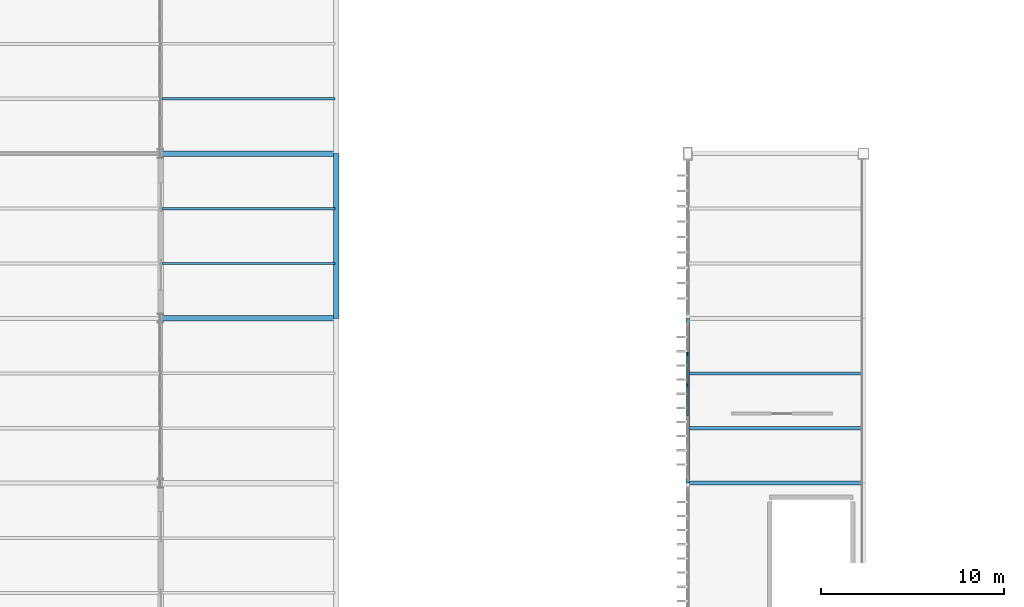
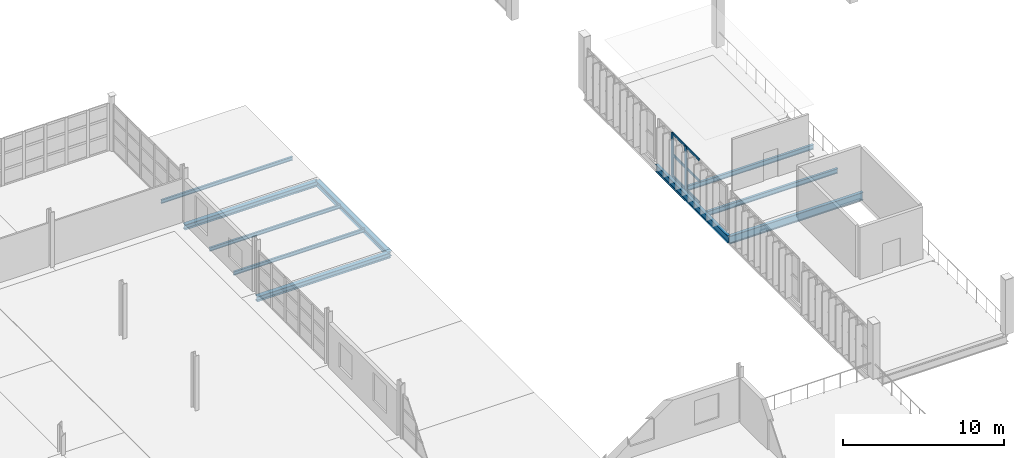
# One storey, part 23 of 82: 10 beams, 8 members, 1 element without a shape of its own.
"""IFC4 building model written with IfcOpenShell, lengths in metres."""

from ifc_helpers import new_model, si_unit, direction, frame, origin, origin_2d, place, context, subcontext, project, spatial, rectangle, i_section, extrude, material, layer, layer_set, material_profile, profile_set, type_object, element, aggregate, save


model = new_model("IFC4")

# Units and contexts
model_context = context("Model", 3, precision=1e-05, world=origin(), true_north=direction((0.0, 1.0)))
body_context = subcontext(model_context, "Body", "Model", "MODEL_VIEW")
ifc_project = project(units=[si_unit("LENGTHUNIT", "METRE"), si_unit("AREAUNIT", "SQUARE_METRE"), si_unit("VOLUMEUNIT", "CUBIC_METRE"), si_unit("PLANEANGLEUNIT", "RADIAN"), si_unit("MASSUNIT", "GRAM", prefix="KILO")], contexts=[model_context])

# Site, building, storey
site_placement = place(None, origin())
site = spatial("IfcSite", under=ifc_project, at=site_placement, CompositionType="ELEMENT")
building_placement = place(site_placement, origin())
building = spatial("IfcBuilding", under=site, at=building_placement, Name="Zarnetskaya Central Station", CompositionType="ELEMENT")
storey_placement = place(building_placement, frame((0.0, 0.0, 10.199951171875)))
storey = spatial("IfcBuildingStorey", under=building, at=storey_placement, Name="L02", CompositionType="ELEMENT", Elevation=10.199951171875)

# Beams
ifc_material_1 = material(Name="Steel S355", Category="steel")
ifc_material_profile_1 = material_profile(ifc_material_1, i_section(OverallWidth=0.135009765625, OverallDepth=0.27001953125, WebThickness=0.006591796875, FlangeThickness=0.01025390625, FilletRadius=0.014892578125, at=origin_2d()), Name="IPE 270")
ifc_profile_set_1 = profile_set([ifc_material_profile_1], Name="Steel S355")
beam_type_1 = type_object("IfcBeamType", Name="BM-JST-270", PredefinedType="JOIST", material=ifc_profile_set_1)
for number, where, z_axis, x_axis, name in (
    (1, (28.8798828125, 52.199951171875, -0.344970703125), (1.0, 0.0, 0.0), (0.0, 1.0, 0.0), "Secondary floor beam SEC-L02-Z999-DE-78-1"),
    (2, (28.8798828125, 55.199951171875, -0.344970703125), (1.0, 0.0, 0.0), (0.0, 1.0, 0.0), "Secondary floor beam SEC-L02-Z999-DE-78-2"),
    (3, (28.8798828125, 61.199951171875, -0.344970703125), (1.0, 0.0, 0.0), (0.0, 1.0, 0.0), "Secondary floor beam SEC-L02-Z999-DE-89-1"),
):
    element("IfcBeam", number, at=place(storey_placement, frame(where, z_axis=z_axis, x_axis=x_axis)), inside=storey, type_object=beam_type_1, Name=name, PredefinedType="JOIST", context=body_context, shape_type="SweptSolid", body=[
        extrude(i_section(OverallWidth=0.135009765625, OverallDepth=0.27001953125, WebThickness=0.006591796875, FlangeThickness=0.01025390625, FilletRadius=0.014892578125, at=origin_2d()), origin(), (0.0, 0.0, 1.0), 9.440185546875),
    ])
ifc_material_profile_2 = material_profile(ifc_material_1, i_section(OverallWidth=0.169921875, OverallDepth=0.360107421875, WebThickness=0.008056640625, FlangeThickness=0.0126953125, FilletRadius=0.01806640625, at=origin_2d()), Name="IPE 360")
ifc_profile_set_2 = profile_set([ifc_material_profile_2], Name="Steel S355")
beam_type_2 = type_object("IfcBeamType", Name="BM-SEC-360", PredefinedType="BEAM", material=ifc_profile_set_2)
for number, where, z_axis, x_axis, name in (
    (4, (57.679931640625, 43.199951171875, -0.43994140625), (1.0, 0.0, 0.0), (0.0, 1.0, 0.0), "Secondary floor beam SEC-L02-Z994-GH-67-1"),
    (5, (57.679931640625, 46.199951171875, -0.43994140625), (1.0, 0.0, 0.0), (0.0, 1.0, 0.0), "Secondary floor beam SEC-L02-Z994-GH-67-2"),
):
    element("IfcBeam", number, at=place(storey_placement, frame(where, z_axis=z_axis, x_axis=x_axis)), inside=storey, type_object=beam_type_2, Name=name, PredefinedType="BEAM", context=body_context, shape_type="SweptSolid", body=[
        extrude(i_section(OverallWidth=0.169921875, OverallDepth=0.360107421875, WebThickness=0.008056640625, FlangeThickness=0.0126953125, FilletRadius=0.01806640625, at=origin_2d()), origin(), (0.0, 0.0, 1.0), 9.440185546875),
    ])

# Curtain wall, members
ifc_material_2 = material(Name="Low-E insulated glass", Category="glass")
ifc_layer = layer(ifc_material_2, 0.176025390625, Name="Low-E insulated glass", Category="glass")
ifc_layer_set = layer_set([ifc_layer], Name="Low-E insulated glass")
curtain_wall_type = type_object("IfcCurtainWallType", Name="CW-SYS-15", PredefinedType="USERDEFINED", material=ifc_layer_set)
curtain_wall_placement = place(storey_placement, origin())
curtain_wall = element("IfcCurtainWall", 6, at=curtain_wall_placement, inside=storey, type_object=curtain_wall_type, Name="Curtain wall CW-L02-094", ObjectType="CURTAIN WALL", PredefinedType="USERDEFINED")
ifc_material_3 = material(Name="Anodised aluminium", Category="aluminium")
ifc_material_profile_3 = material_profile(ifc_material_3, rectangle(XDim=0.080078125, YDim=0.219970703125, at=origin_2d()), Name="ALU MULL 80x220")
ifc_profile_set_3 = profile_set([ifc_material_profile_3], Name="Anodised aluminium")
member_type_1 = type_object("IfcMemberType", Name="CW-MULL-220", PredefinedType="MULLION", material=ifc_profile_set_3)
member_1_placement = place(storey_placement, frame((57.60009765625, 45.550048828125, 0.0), z_axis=(0.0, 0.0, 1.0), x_axis=(-1.0, 0.0, 0.0)))
member_1 = element("IfcMember", 7, at=member_1_placement, type_object=member_type_1, Name="CW-05 mullion 4", PredefinedType="MULLION", context=body_context, shape_type="SweptSolid", body=[
    extrude(rectangle(XDim=0.080078125, YDim=0.219970703125, at=origin_2d()), origin(), (0.0, 0.0, 1.0), 3.300048828125),
])
member_2_placement = place(storey_placement, frame((57.60009765625, 47.25, 0.0), z_axis=(0.0, 0.0, 1.0), x_axis=(-1.0, 0.0, 0.0)))
member_2 = element("IfcMember", 8, at=member_2_placement, type_object=member_type_1, Name="CW-05 mullion 5", PredefinedType="MULLION", context=body_context, shape_type="SweptSolid", body=[
    extrude(rectangle(XDim=0.080078125, YDim=0.219970703125, at=origin_2d()), origin(), (0.0, 0.0, 1.0), 3.300048828125),
])
ifc_material_profile_4 = material_profile(ifc_material_3, rectangle(XDim=0.080078125, YDim=0.159912109375, at=origin_2d()), Name="ALU TRAN 80x160")
ifc_profile_set_4 = profile_set([ifc_material_profile_4], Name="Anodised aluminium")
member_type_2 = type_object("IfcMemberType", Name="CW-TRAN-160", PredefinedType="USERDEFINED", material=ifc_profile_set_4)
member_3_placement = place(storey_placement, frame((57.60009765625, 43.889892578125, 0.0400390625), z_axis=(0.0, 1.0, 0.0), x_axis=(-1.0, 0.0, 0.0)))
member_3 = element("IfcMember", 9, at=member_3_placement, type_object=member_type_2, Name="CW-05 transom 3.1", ObjectType="TRANSOM", PredefinedType="USERDEFINED", context=body_context, shape_type="SweptSolid", body=[
    extrude(rectangle(XDim=0.080078125, YDim=0.159912109375, at=origin_2d()), origin(), (0.0, 0.0, 1.0), 1.6201171875),
])
member_4_placement = place(storey_placement, frame((57.60009765625, 43.889892578125, 1.650146484375), z_axis=(0.0, 1.0, 0.0), x_axis=(-1.0, 0.0, 0.0)))
member_4 = element("IfcMember", 10, at=member_4_placement, type_object=member_type_2, Name="CW-05 transom 3.2", ObjectType="TRANSOM", PredefinedType="USERDEFINED", context=body_context, shape_type="SweptSolid", body=[
    extrude(rectangle(XDim=0.080078125, YDim=0.159912109375, at=origin_2d()), origin(), (0.0, 0.0, 1.0), 1.6201171875),
])
member_5_placement = place(storey_placement, frame((57.60009765625, 43.889892578125, 3.260009765625), z_axis=(0.0, 1.0, 0.0), x_axis=(-1.0, 0.0, 0.0)))
member_5 = element("IfcMember", 11, at=member_5_placement, type_object=member_type_2, Name="CW-05 transom 3.3", ObjectType="TRANSOM", PredefinedType="USERDEFINED", context=body_context, shape_type="SweptSolid", body=[
    extrude(rectangle(XDim=0.080078125, YDim=0.159912109375, at=origin_2d()), origin(), (0.0, 0.0, 1.0), 1.6201171875),
])
member_6_placement = place(storey_placement, frame((57.60009765625, 45.590087890625, 0.0400390625), z_axis=(0.0, 1.0, 0.0), x_axis=(-1.0, 0.0, 0.0)))
member_6 = element("IfcMember", 12, at=member_6_placement, type_object=member_type_2, Name="CW-05 transom 4.1", ObjectType="TRANSOM", PredefinedType="USERDEFINED", context=body_context, shape_type="SweptSolid", body=[
    extrude(rectangle(XDim=0.080078125, YDim=0.159912109375, at=origin_2d()), origin(), (0.0, 0.0, 1.0), 1.619873046875),
])
member_7_placement = place(storey_placement, frame((57.60009765625, 45.590087890625, 1.650146484375), z_axis=(0.0, 1.0, 0.0), x_axis=(-1.0, 0.0, 0.0)))
member_7 = element("IfcMember", 13, at=member_7_placement, type_object=member_type_2, Name="CW-05 transom 4.2", ObjectType="TRANSOM", PredefinedType="USERDEFINED", context=body_context, shape_type="SweptSolid", body=[
    extrude(rectangle(XDim=0.080078125, YDim=0.159912109375, at=origin_2d()), origin(), (0.0, 0.0, 1.0), 1.619873046875),
])
member_8_placement = place(storey_placement, frame((57.60009765625, 45.590087890625, 3.260009765625), z_axis=(0.0, 1.0, 0.0), x_axis=(-1.0, 0.0, 0.0)))
member_8 = element("IfcMember", 14, at=member_8_placement, type_object=member_type_2, Name="CW-05 transom 4.3", ObjectType="TRANSOM", PredefinedType="USERDEFINED", context=body_context, shape_type="SweptSolid", body=[
    extrude(rectangle(XDim=0.080078125, YDim=0.159912109375, at=origin_2d()), origin(), (0.0, 0.0, 1.0), 1.619873046875),
])
aggregate(curtain_wall, [member_1, member_2, member_3, member_4, member_5, member_6, member_7, member_8])

# Beams
ifc_material_profile_5 = material_profile(ifc_material_1, i_section(OverallWidth=0.2099609375, OverallDepth=0.550048828125, WebThickness=0.010986328125, FlangeThickness=0.01708984375, FilletRadius=0.02392578125, at=origin_2d()), Name="IPE 550")
ifc_profile_set_5 = profile_set([ifc_material_profile_5], Name="Steel S355")
beam_type_3 = type_object("IfcBeamType", Name="GD-FLR-550", PredefinedType="USERDEFINED", material=ifc_profile_set_5)
beam_1_placement = place(storey_placement, frame((57.60009765625, 40.199951171875, -0.534912109375), z_axis=(0.0, 1.0, 0.0), x_axis=(-1.0, 0.0, 0.0)))
element("IfcBeam", 15, at=beam_1_placement, inside=storey, type_object=beam_type_3, Name="Grid girder GY-L02-G-67", ObjectType="GIRDER", PredefinedType="USERDEFINED", context=body_context, shape_type="SweptSolid", body=[
    extrude(i_section(OverallWidth=0.2099609375, OverallDepth=0.550048828125, WebThickness=0.010986328125, FlangeThickness=0.01708984375, FilletRadius=0.02392578125, at=origin_2d()), origin(), (0.0, 0.0, 1.0), 9.0),
])
ifc_material_profile_6 = material_profile(ifc_material_1, i_section(OverallWidth=0.219970703125, OverallDepth=0.60009765625, WebThickness=0.011962890625, FlangeThickness=0.01904296875, FilletRadius=0.02392578125, at=origin_2d()), Name="IPE 600")
ifc_profile_set_6 = profile_set([ifc_material_profile_6], Name="Steel S355")
beam_type_4 = type_object("IfcBeamType", Name="GD-FLR-600", PredefinedType="USERDEFINED", material=ifc_profile_set_6)
beam_2_placement = place(storey_placement, frame((57.60009765625, 40.199951171875, -0.56005859375), z_axis=(1.0, 0.0, 0.0), x_axis=(0.0, 1.0, 0.0)))
element("IfcBeam", 16, at=beam_2_placement, inside=storey, type_object=beam_type_4, Name="Grid girder GX-L02-6-GH", ObjectType="GIRDER", PredefinedType="USERDEFINED", context=body_context, shape_type="SweptSolid", body=[
    extrude(i_section(OverallWidth=0.219970703125, OverallDepth=0.60009765625, WebThickness=0.011962890625, FlangeThickness=0.01904296875, FilletRadius=0.02392578125, at=origin_2d()), origin(), (0.0, 0.0, 1.0), 9.599853515625),
])
ifc_material_profile_7 = material_profile(ifc_material_1, i_section(OverallWidth=0.300048828125, OverallDepth=0.389892578125, WebThickness=0.010986328125, FlangeThickness=0.01904296875, FilletRadius=0.027099609375, at=origin_2d()), Name="HEA 400")
ifc_profile_set_7 = profile_set([ifc_material_profile_7], Name="Steel S355")
beam_type_5 = type_object("IfcBeamType", Name="GD-ROOF-400", PredefinedType="USERDEFINED", material=ifc_profile_set_7)
for number, where, z_axis, x_axis, name in (
    (17, (28.800048828125, 49.199951171875, -0.405029296875), (1.0, 0.0, 0.0), (0.0, 1.0, 0.0), "Grid girder GX-L02-7-DE"),
    (18, (28.800048828125, 58.199951171875, -0.405029296875), (1.0, 0.0, 0.0), (0.0, 1.0, 0.0), "Grid girder GX-L02-8-DE"),
):
    element("IfcBeam", number, at=place(storey_placement, frame(where, z_axis=z_axis, x_axis=x_axis)), inside=storey, type_object=beam_type_5, Name=name, ObjectType="GIRDER", PredefinedType="USERDEFINED", context=body_context, shape_type="SweptSolid", body=[
        extrude(i_section(OverallWidth=0.300048828125, OverallDepth=0.389892578125, WebThickness=0.010986328125, FlangeThickness=0.01904296875, FilletRadius=0.027099609375, at=origin_2d()), origin(), (0.0, 0.0, 1.0), 9.599853515625),
    ])
beam_3_placement = place(storey_placement, frame((38.39990234375, 49.199951171875, -0.405029296875), z_axis=(0.0, 1.0, 0.0), x_axis=(-1.0, 0.0, 0.0)))
element("IfcBeam", 19, at=beam_3_placement, inside=storey, type_object=beam_type_5, Name="Grid girder GY-L02-E-78", ObjectType="GIRDER", PredefinedType="USERDEFINED", context=body_context, shape_type="SweptSolid", body=[
    extrude(i_section(OverallWidth=0.300048828125, OverallDepth=0.389892578125, WebThickness=0.010986328125, FlangeThickness=0.01904296875, FilletRadius=0.027099609375, at=origin_2d()), origin(), (0.0, 0.0, 1.0), 9.0),
])

save(model, "model.ifc")
